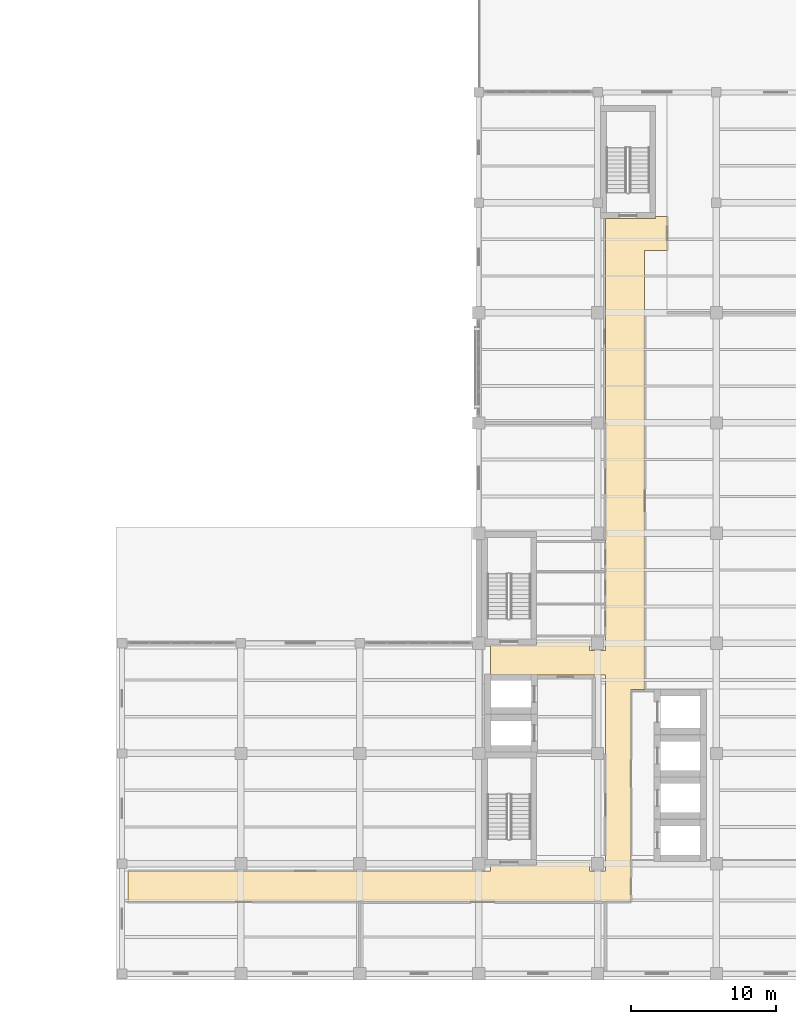
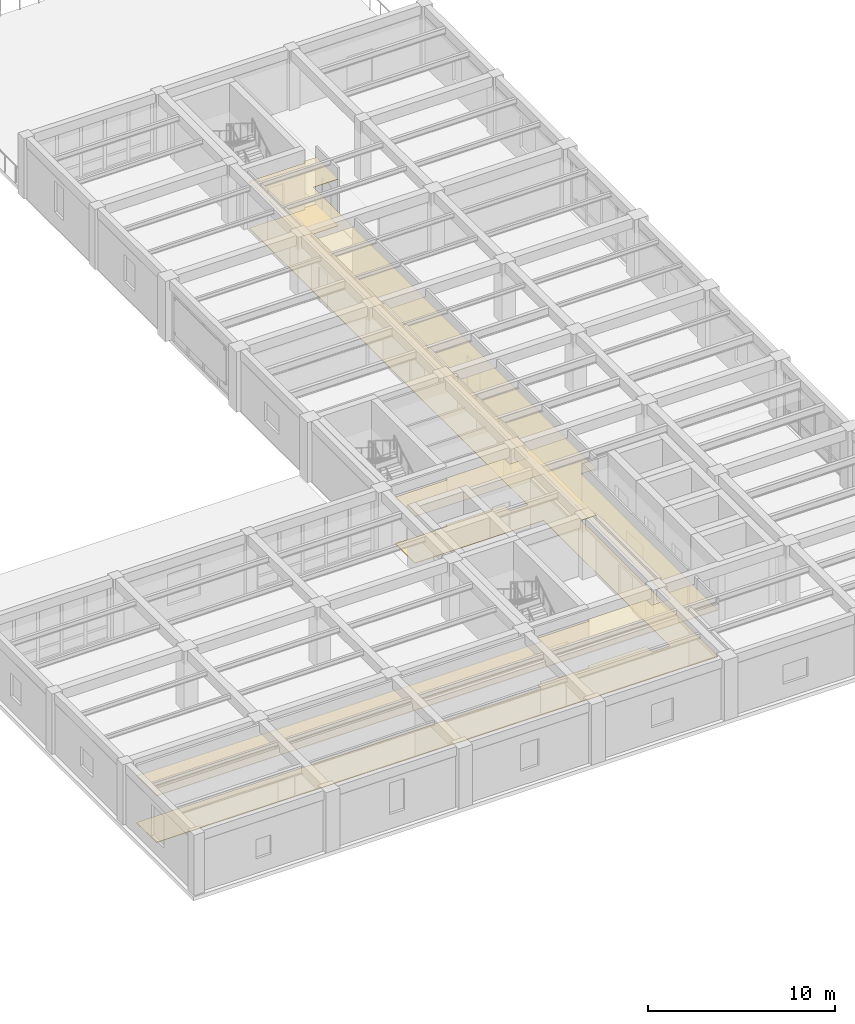
# One storey, part 19 of 22: 2 coverings.
"""IFC4 building model written with IfcOpenShell, lengths in metres."""

from ifc_helpers import new_model, si_unit, direction, frame, origin, place, context, subcontext, project, spatial, polyline, outline, extrude, material, layer, layer_set, type_object, element, save


model = new_model("IFC4")

# Units and contexts
model_context = context("Model", 3, precision=1e-05, world=origin(), true_north=direction((0.0, 1.0)))
body_context = subcontext(model_context, "Body", "Model", "MODEL_VIEW")
ifc_project = project(units=[si_unit("LENGTHUNIT", "METRE"), si_unit("AREAUNIT", "SQUARE_METRE"), si_unit("VOLUMEUNIT", "CUBIC_METRE"), si_unit("PLANEANGLEUNIT", "RADIAN"), si_unit("MASSUNIT", "GRAM", prefix="KILO")], contexts=[model_context])

# Site, building, storey
site_placement = place(None, origin())
site = spatial("IfcSite", under=ifc_project, at=site_placement, CompositionType="ELEMENT")
building_placement = place(site_placement, origin())
building = spatial("IfcBuilding", under=site, at=building_placement, Name="Qandaris Square Conservatory and Botanical Centre", CompositionType="ELEMENT")
storey_placement = place(building_placement, frame((0.0, 0.0, 19.800048828125)))
storey = spatial("IfcBuildingStorey", under=building, at=storey_placement, Name="L04", CompositionType="ELEMENT", Elevation=19.800048828125)

# Coverings
ifc_material_1 = material(Name="Honed Qatari Limestone", Category="masonry")
ifc_layer_1 = layer(ifc_material_1, 0.030029296875)
ifc_layer_set_1 = layer_set([ifc_layer_1], Name="Honed Qatari Limestone")
covering_type_1 = type_object("IfcCoveringType", Name="Honed Qatari Limestone Concourse Paving", PredefinedType="FLOORING", material=ifc_layer_set_1)
covering_1_placement = place(storey_placement, origin())
element("IfcCovering", 1, at=covering_1_placement, inside=storey, type_object=covering_type_1, Name="Main Circulation Corridor L04 Flooring", PredefinedType="FLOORING", context=body_context, shape_type="SweptSolid", body=[
    extrude(outline(polyline([(140.0, 24.10009765625), (143.199951171875, 24.10009765625), (143.199951171875, 24.280029296875), (146.85009765625, 24.280029296875), (146.85009765625, 23.699951171875), (147.949951171875, 23.699951171875), (147.949951171875, 24.75), (147.949951171875, 31.75), (147.949951171875, 36.199951171875), (147.949951171875, 37.199951171875), (140.0, 37.199951171875), (140.0, 38.89990234375), (140.0, 39.300048828125), (143.199951171875, 39.300048828125), (143.199951171875, 39.47998046875), (146.85009765625, 39.47998046875), (146.85009765625, 38.89990234375), (147.949951171875, 38.89990234375), (147.949951171875, 39.89990234375), (147.949951171875, 42.1201171875), (147.949951171875, 44.340087890625), (147.949951171875, 46.419921875), (147.949951171875, 66.5), (147.949951171875, 68.699951171875), (151.39990234375, 68.699951171875), (151.39990234375, 68.85009765625), (152.199951171875, 68.85009765625), (152.199951171875, 66.5), (150.64990234375, 66.5), (150.64990234375, 36.199951171875), (149.699951171875, 36.199951171875), (149.699951171875, 36.050048828125), (149.699951171875, 24.75), (149.699951171875, 23.699951171875), (149.699951171875, 21.550048828125), (147.949951171875, 21.550048828125), (115.0, 21.550048828125), (115.0, 23.699951171875), (140.0, 23.699951171875), (140.0, 24.10009765625)])), origin(), (0.0, 0.0, 1.0), 0.030029296875),
])
ifc_material_2 = material(Name="Gypsum Plasterboard", Category="gypsum")
ifc_layer_2 = layer(ifc_material_2, 0.02490234375)
ifc_layer_set_2 = layer_set([ifc_layer_2], Name="Gypsum Plasterboard")
covering_type_2 = type_object("IfcCoveringType", Name="Perforated Acoustic Lab Ceiling Tile", PredefinedType="CEILING", material=ifc_layer_set_2)
covering_2_placement = place(storey_placement, frame((0.0, 0.0, 3.050048828125)))
element("IfcCovering", 2, at=covering_2_placement, inside=storey, type_object=covering_type_2, Name="Main Circulation Corridor L04 Ceiling", PredefinedType="CEILING", context=body_context, shape_type="SweptSolid", body=[
    extrude(outline(polyline([(140.0, 24.10009765625), (143.199951171875, 24.10009765625), (143.199951171875, 24.280029296875), (146.85009765625, 24.280029296875), (146.85009765625, 23.699951171875), (147.949951171875, 23.699951171875), (147.949951171875, 24.75), (147.949951171875, 31.75), (147.949951171875, 36.199951171875), (147.949951171875, 37.199951171875), (140.0, 37.199951171875), (140.0, 38.89990234375), (140.0, 39.300048828125), (143.199951171875, 39.300048828125), (143.199951171875, 39.47998046875), (146.85009765625, 39.47998046875), (146.85009765625, 38.89990234375), (147.949951171875, 38.89990234375), (147.949951171875, 39.89990234375), (147.949951171875, 42.1201171875), (147.949951171875, 44.340087890625), (147.949951171875, 46.419921875), (147.949951171875, 66.5), (147.949951171875, 68.699951171875), (151.39990234375, 68.699951171875), (151.39990234375, 68.85009765625), (152.199951171875, 68.85009765625), (152.199951171875, 66.5), (150.64990234375, 66.5), (150.64990234375, 36.199951171875), (149.699951171875, 36.199951171875), (149.699951171875, 36.050048828125), (149.699951171875, 24.75), (149.699951171875, 23.699951171875), (149.699951171875, 21.550048828125), (147.949951171875, 21.550048828125), (115.0, 21.550048828125), (115.0, 23.699951171875), (140.0, 23.699951171875), (140.0, 24.10009765625)])), origin(), (0.0, 0.0, 1.0), 0.02490234375),
])

save(model, "model.ifc")
